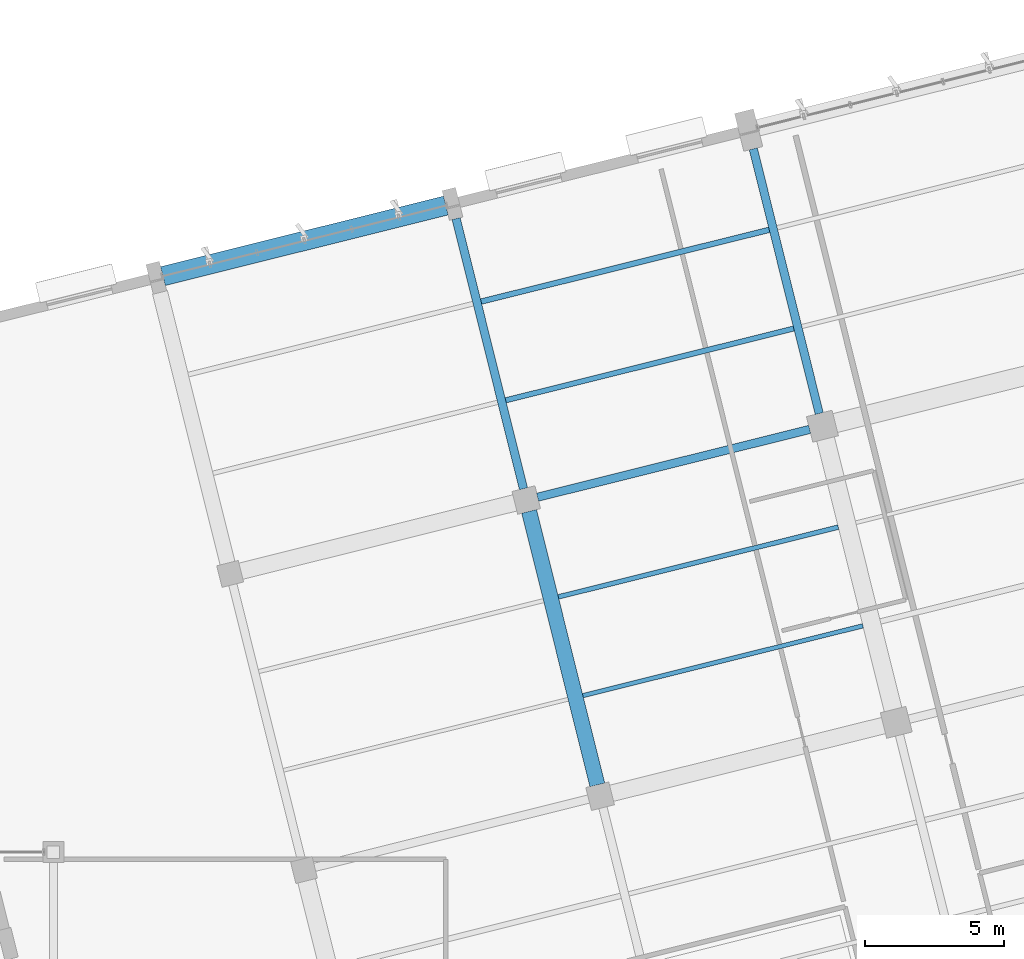
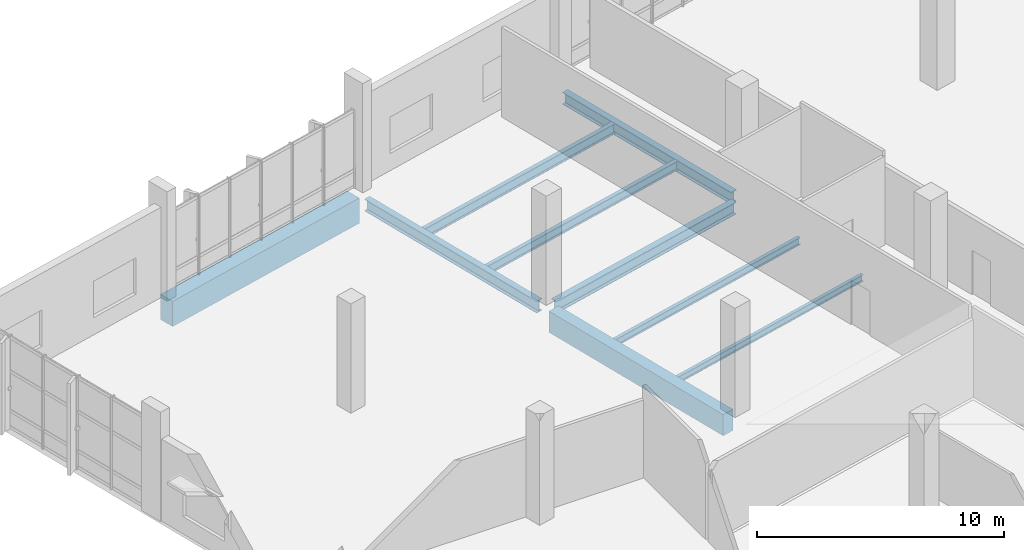
# One storey, part 87 of 176: 9 beams.
"""IFC4 building model written with IfcOpenShell, lengths in metres."""

from ifc_helpers import new_model, si_unit, direction, frame, origin, origin_2d, place, context, subcontext, project, spatial, rectangle, i_section, extrude, material, material_profile, profile_set, type_object, element, save


model = new_model("IFC4")

# Units and contexts
model_context = context("Model", 3, precision=1e-05, world=origin(), true_north=direction((0.0, 1.0)))
body_context = subcontext(model_context, "Body", "Model", "MODEL_VIEW")
ifc_project = project(units=[si_unit("LENGTHUNIT", "METRE"), si_unit("AREAUNIT", "SQUARE_METRE"), si_unit("VOLUMEUNIT", "CUBIC_METRE"), si_unit("PLANEANGLEUNIT", "RADIAN"), si_unit("MASSUNIT", "GRAM", prefix="KILO")], contexts=[model_context])

# Site, building, storey
site_placement = place(None, origin())
site = spatial("IfcSite", under=ifc_project, at=site_placement, CompositionType="ELEMENT")
building_placement = place(site_placement, origin())
building = spatial("IfcBuilding", under=site, at=building_placement, Name="Khorjan Park Terminus", CompositionType="ELEMENT")
storey_placement = place(building_placement, frame((0.0, 0.0, 6.0)))
storey = spatial("IfcBuildingStorey", under=building, at=storey_placement, Name="L01", CompositionType="ELEMENT", Elevation=6.0)

# Beams
ifc_material_1 = material(Name="Steel S355", Category="steel")
ifc_material_profile_1 = material_profile(ifc_material_1, i_section(OverallWidth=0.3, OverallDepth=0.59, WebThickness=0.013, FlangeThickness=0.025, FilletRadius=0.027, at=origin_2d()), Name="HEA 600")
ifc_profile_set_1 = profile_set([ifc_material_profile_1], Name="Steel S355")
beam_type_1 = type_object("IfcBeamType", Name="BM-HEA600", PredefinedType="BEAM", material=ifc_profile_set_1)
beam_1_placement = place(storey_placement, frame((173.9392, 61.0961, -0.645), z_axis=(-0.24192360021, 0.970295301267, 0.0), x_axis=(-0.970295301267, -0.24192360021, 0.0)))
element("IfcBeam", 1, at=beam_1_placement, inside=storey, type_object=beam_type_1, Name="Primary skew-grid floor girder SB-A60 (L01)", PredefinedType="BEAM", context=body_context, shape_type="SweptSolid", body=[
    extrude(i_section(OverallWidth=0.3, OverallDepth=0.59, WebThickness=0.013, FlangeThickness=0.025, FilletRadius=0.027, at=origin_2d()), origin(), (0.0, 0.0, 1.0), 10.035),
])
beam_2_placement = place(storey_placement, frame((184.6004, 63.8057, -0.645), z_axis=(-0.241930300515, 0.970293630657, 0.0), x_axis=(-0.970293630657, -0.241930300515, 0.0)))
element("IfcBeam", 2, at=beam_2_placement, inside=storey, type_object=beam_type_1, Name="Primary skew-grid floor girder SB-A60 (L01)", PredefinedType="BEAM", context=body_context, shape_type="SweptSolid", body=[
    extrude(i_section(OverallWidth=0.3, OverallDepth=0.59, WebThickness=0.013, FlangeThickness=0.025, FilletRadius=0.027, at=origin_2d()), origin(), (0.0, 0.0, 1.0), 9.8351),
])
ifc_material_profile_2 = material_profile(ifc_material_1, i_section(OverallWidth=0.3, OverallDepth=0.6, WebThickness=0.0155, FlangeThickness=0.03, FilletRadius=0.027, at=origin_2d()), Name="HEB 600")
ifc_profile_set_2 = profile_set([ifc_material_profile_2], Name="Steel S355")
beam_type_2 = type_object("IfcBeamType", Name="BM-HEB600", PredefinedType="BEAM", material=ifc_profile_set_2)
beam_3_placement = place(storey_placement, frame((174.4483, 60.7902, -0.65), z_axis=(0.970296490369, 0.241918830968, 0.0), x_axis=(-0.241918830968, 0.970296490369, 0.0)))
element("IfcBeam", 3, at=beam_3_placement, inside=storey, type_object=beam_type_2, Name="Primary skew-grid floor girder SB-B60 (L01)", PredefinedType="BEAM", context=body_context, shape_type="SweptSolid", body=[
    extrude(i_section(OverallWidth=0.3, OverallDepth=0.6, WebThickness=0.0155, FlangeThickness=0.03, FilletRadius=0.027, at=origin_2d()), origin(), (0.0, 0.0, 1.0), 10.11),
])
ifc_material_2 = material(Name="Concrete C40/50", Category="concrete")
ifc_material_profile_3 = material_profile(ifc_material_2, rectangle(XDim=0.55, YDim=1.05, at=origin_2d()), Name="RC 550x1050")
ifc_profile_set_3 = profile_set([ifc_material_profile_3], Name="Concrete C40/50")
beam_type_3 = type_object("IfcBeamType", Name="BM-RC550x1050", PredefinedType="BEAM", material=ifc_profile_set_3)
beam_4_placement = place(storey_placement, frame((176.6003, 50.4228, -0.875), z_axis=(-0.241919549545, 0.97029631121, 0.0), x_axis=(-0.97029631121, -0.241919549545, 0.0)))
element("IfcBeam", 4, at=beam_4_placement, inside=storey, type_object=beam_type_3, Name="Primary skew-grid floor girder GB-105 (L01)", PredefinedType="BEAM", context=body_context, shape_type="SweptSolid", body=[
    extrude(rectangle(XDim=0.55, YDim=1.05, at=origin_2d()), origin(), (0.0, 0.0, 1.0), 10.16),
])
ifc_material_profile_4 = material_profile(ifc_material_2, rectangle(XDim=0.7, YDim=1.25, at=origin_2d()), Name="RC 700x1250")
ifc_profile_set_4 = profile_set([ifc_material_profile_4], Name="Concrete C40/50")
beam_type_4 = type_object("IfcBeamType", Name="BM-RC700x1250", PredefinedType="BEAM", material=ifc_profile_set_4)
beam_5_placement = place(storey_placement, frame((160.9441, 68.7599, -0.975), z_axis=(0.970295661671, 0.241922154716, 0.0), x_axis=(-0.241922154716, 0.970295661671, 0.0)))
element("IfcBeam", 5, at=beam_5_placement, inside=storey, type_object=beam_type_4, Name="Primary skew-grid floor girder GB-125 (L01)", PredefinedType="BEAM", context=body_context, shape_type="SweptSolid", body=[
    extrude(rectangle(XDim=0.7, YDim=1.25, at=origin_2d()), origin(), (0.0, 0.0, 1.0), 10.51),
])
ifc_material_profile_5 = material_profile(ifc_material_1, i_section(OverallWidth=0.16, OverallDepth=0.33, WebThickness=0.0075, FlangeThickness=0.0115, FilletRadius=0.018, at=origin_2d()), Name="IPE 330")
ifc_profile_set_5 = profile_set([ifc_material_profile_5], Name="Steel S355")
beam_type_5 = type_object("IfcBeamType", Name="JS-IPE330", PredefinedType="JOIST", material=ifc_profile_set_5)
beam_6_placement = place(storey_placement, frame((176.0817, 53.6396, -0.515), z_axis=(0.970295586552, 0.241922456002, 0.0), x_axis=(-0.241922456002, 0.970295586552, 0.0)))
element("IfcBeam", 6, at=beam_6_placement, inside=storey, type_object=beam_type_5, Name="Secondary composite floor joist SJ-33 (L01)", PredefinedType="JOIST", context=body_context, shape_type="SweptSolid", body=[
    extrude(i_section(OverallWidth=0.16, OverallDepth=0.33, WebThickness=0.0075, FlangeThickness=0.0115, FilletRadius=0.018, at=origin_2d()), origin(), (0.0, 0.0, 1.0), 10.4),
])
ifc_material_profile_6 = material_profile(ifc_material_1, i_section(OverallWidth=0.17, OverallDepth=0.36, WebThickness=0.008, FlangeThickness=0.0127, FilletRadius=0.018, at=origin_2d()), Name="IPE 360")
ifc_profile_set_6 = profile_set([ifc_material_profile_6], Name="Steel S355")
beam_type_6 = type_object("IfcBeamType", Name="JS-IPE360", PredefinedType="JOIST", material=ifc_profile_set_6)
beam_7_placement = place(storey_placement, frame((175.1947, 57.1973, -0.53), z_axis=(0.970295586552, 0.241922456002, 0.0), x_axis=(-0.241922456002, 0.970295586552, 0.0)))
element("IfcBeam", 7, at=beam_7_placement, inside=storey, type_object=beam_type_6, Name="Secondary composite floor joist SJ-36 (L01)", PredefinedType="JOIST", context=body_context, shape_type="SweptSolid", body=[
    extrude(i_section(OverallWidth=0.17, OverallDepth=0.36, WebThickness=0.008, FlangeThickness=0.0127, FilletRadius=0.018, at=origin_2d()), origin(), (0.0, 0.0, 1.0), 10.4),
])
ifc_material_profile_7 = material_profile(ifc_material_1, i_section(OverallWidth=0.19, OverallDepth=0.45, WebThickness=0.0094, FlangeThickness=0.0146, FilletRadius=0.021, at=origin_2d()), Name="IPE 450")
ifc_profile_set_7 = profile_set([ifc_material_profile_7], Name="Steel S355")
beam_type_7 = type_object("IfcBeamType", Name="JS-IPE450", PredefinedType="JOIST", material=ifc_profile_set_7)
beam_8_placement = place(storey_placement, frame((173.2993, 64.2826, -0.575), z_axis=(0.970295138144, 0.241924254455, 0.0), x_axis=(-0.241924254455, 0.970295138144, 0.0)))
element("IfcBeam", 8, at=beam_8_placement, inside=storey, type_object=beam_type_7, Name="Secondary composite floor joist SJ-45 (L01)", PredefinedType="JOIST", context=body_context, shape_type="SweptSolid", body=[
    extrude(i_section(OverallWidth=0.19, OverallDepth=0.45, WebThickness=0.0094, FlangeThickness=0.0146, FilletRadius=0.021, at=origin_2d()), origin(), (0.0, 0.0, 1.0), 10.7),
])
ifc_material_profile_8 = material_profile(ifc_material_1, i_section(OverallWidth=0.2, OverallDepth=0.5, WebThickness=0.0102, FlangeThickness=0.016, FilletRadius=0.021, at=origin_2d()), Name="IPE 500")
ifc_profile_set_8 = profile_set([ifc_material_profile_8], Name="Steel S355")
beam_type_8 = type_object("IfcBeamType", Name="JS-IPE500", PredefinedType="JOIST", material=ifc_profile_set_8)
beam_9_placement = place(storey_placement, frame((172.4123, 67.8403, -0.6), z_axis=(0.970294591155, 0.241926448278, 0.0), x_axis=(-0.241926448278, 0.970294591155, 0.0)))
element("IfcBeam", 9, at=beam_9_placement, inside=storey, type_object=beam_type_8, Name="Secondary composite floor joist SJ-50 (L01)", PredefinedType="JOIST", context=body_context, shape_type="SweptSolid", body=[
    extrude(i_section(OverallWidth=0.2, OverallDepth=0.5, WebThickness=0.0102, FlangeThickness=0.016, FilletRadius=0.021, at=origin_2d()), origin(), (0.0, 0.0, 1.0), 10.6999),
])

save(model, "model.ifc")
